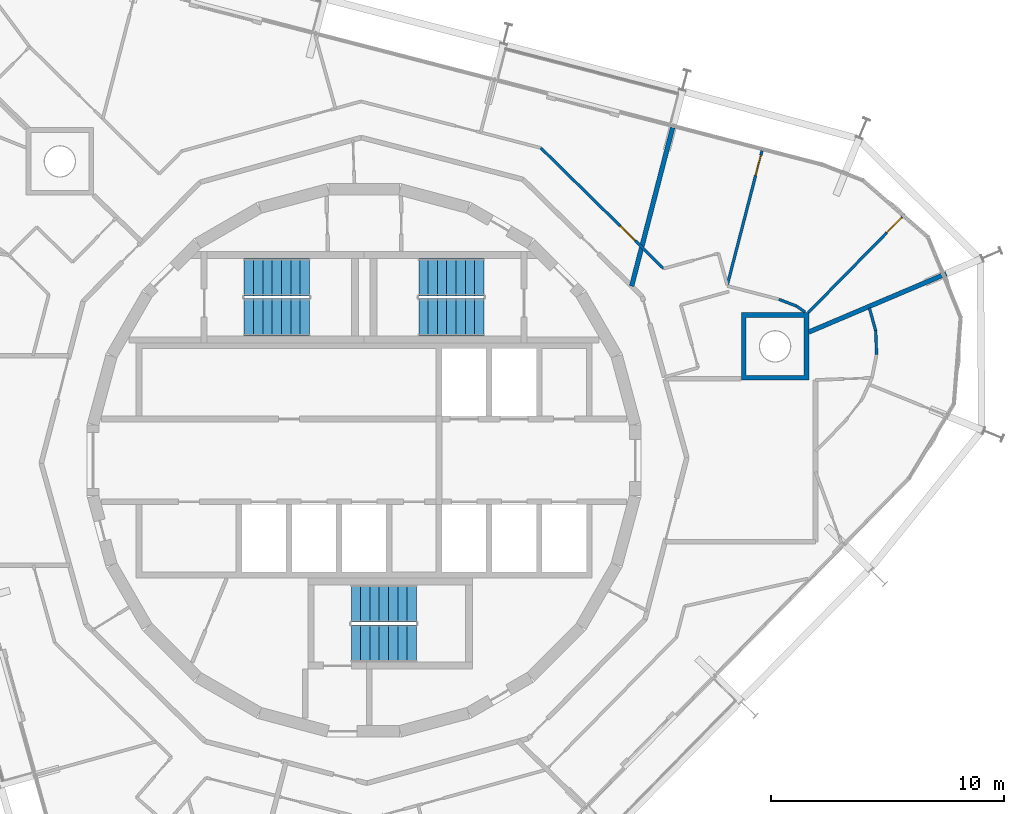
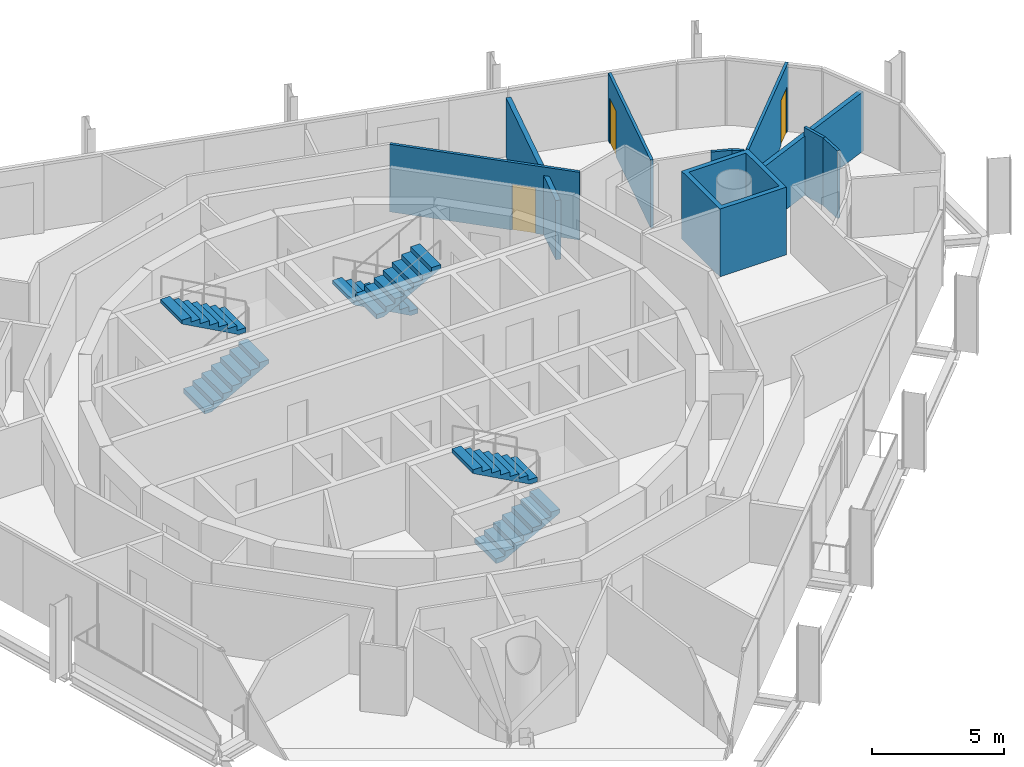
# One storey, part 14 of 15: 10 walls, 6 stair flights, 3 doors, 3 openings, 3 elements without a shape of their own.
"""IFC4 building model written with IfcOpenShell, lengths in metres."""

import ifcopenshell
import ifcopenshell.guid

model = None  # the IFC model being written
_history = None  # IfcOwnerHistory: only IFC2X3 demands one
_inside = {}  # id of a spatial element -> (the spatial element, [elements in it])
_under = {}  # id of a project, library or spatial element -> (it, [spatial elements below it])
_declared = {}  # id of a project -> (the project, [libraries it declares])
_typed = {}  # id of a type object -> (the type object, [elements of that type])
_made_of = {}  # id of a material, layer set ... -> (it, [elements and type objects made of it])


def new_model(schema):
    """Start an empty IFC model of exactly this schema.

    Asked for "IFC4X3", IfcOpenShell would pick the latest addendum, in which some entities
    have other attributes; the version numbers below select the first issue.
    IFC2X3 requires an IfcOwnerHistory on every rooted entity: one is made here for all.
    """
    global model, _history
    if schema == "IFC4X3":
        model = ifcopenshell.file(schema_version=(4, 3, 0, 0))
    else:
        model = ifcopenshell.file(schema=schema)
    _inside.clear()
    _under.clear()
    _declared.clear()
    _typed.clear()
    _made_of.clear()
    _history = None
    if model.schema == "IFC2X3":
        org = make("IfcOrganization", Name="unknown")
        user = make(
            "IfcPersonAndOrganization",
            ThePerson=make("IfcPerson", FamilyName="unknown"),
            TheOrganization=org,
        )
        app = make(
            "IfcApplication",
            ApplicationDeveloper=org,
            Version="unknown",
            ApplicationFullName="unknown",
            ApplicationIdentifier="unknown",
        )
        _history = make(
            "IfcOwnerHistory",
            OwningUser=user,
            OwningApplication=app,
            ChangeAction="ADDED",
            CreationDate=0,
        )
    return model


def make(cls, **values):
    """One entity of the class cls with the attributes given. An attribute that is None is left unset."""
    return model.create_entity(
        cls, **{name: value for name, value in values.items() if value is not None}
    )


def rooted(cls, **values):
    """An entity with a GlobalId (a new one), such as an element, a storey or a relation."""
    return make(cls, GlobalId=ifcopenshell.guid.new(), OwnerHistory=_history, **values)


def si_unit(unit_type, name, prefix=None):
    """IfcSIUnit, for example si_unit("LENGTHUNIT", "METRE", prefix="MILLI")."""
    return make("IfcSIUnit", UnitType=unit_type, Prefix=prefix, Name=name)


def assignment(units):
    """IfcUnitAssignment: the units of a project."""
    return None if units is None else make("IfcUnitAssignment", Units=units)


def point(xyz):
    """IfcCartesianPoint."""
    return None if xyz is None else make("IfcCartesianPoint", Coordinates=xyz)


def direction(xyz):
    """IfcDirection."""
    return None if xyz is None else make("IfcDirection", DirectionRatios=xyz)


def frame(location, z_axis=None, x_axis=None):
    """IfcAxis2Placement3D, a coordinate frame: its origin and axes. An axis left out is left unset."""
    return make(
        "IfcAxis2Placement3D",
        Location=point(location),
        Axis=direction(z_axis),
        RefDirection=direction(x_axis),
    )


def frame_2d(location, x_axis=None):
    """IfcAxis2Placement2D, a coordinate frame in the plane: its origin and x axis."""
    return make(
        "IfcAxis2Placement2D", Location=point(location), RefDirection=direction(x_axis)
    )


def origin():
    """The frame at (0, 0, 0) with its axes left unset."""
    return frame((0.0, 0.0, 0.0))


def place(relative_to, where):
    """IfcLocalPlacement: puts the frame where relative to a parent placement (None: the world)."""
    return make(
        "IfcLocalPlacement", PlacementRelTo=relative_to, RelativePlacement=where
    )


def context(
    kind, dimensions, precision=None, world=None, true_north=None, identifier=None
):
    """IfcGeometricRepresentationContext, for example the 3D "Model" context."""
    return make(
        "IfcGeometricRepresentationContext",
        ContextIdentifier=identifier,
        ContextType=kind,
        CoordinateSpaceDimension=dimensions,
        Precision=precision,
        WorldCoordinateSystem=world,
        TrueNorth=true_north,
    )


def subcontext(parent, identifier, kind, view, scale=None):
    """IfcGeometricRepresentationSubContext, for example "Body" below "Model"."""
    return make(
        "IfcGeometricRepresentationSubContext",
        ContextIdentifier=identifier,
        ContextType=kind,
        ParentContext=parent,
        TargetScale=scale,
        TargetView=view,
    )


def project(units=None, contexts=None):
    """IfcProject with its units and contexts."""
    return rooted(
        "IfcProject",
        Name="project",
        RepresentationContexts=contexts,
        UnitsInContext=assignment(units),
    )


def spatial(cls, under=None, at=None, **own):
    """A site, building, storey or space (cls), placed at a placement, below another one or the project."""
    s = rooted(cls, ObjectPlacement=at, **own)
    if under is not None:
        _under.setdefault(under.id(), (under, []))[1].append(s)
    return s


def polyline(points):
    """IfcPolyline through the points."""
    return make("IfcPolyline", Points=[point(p) for p in points])


def profile(cls, at=None, kind="AREA", **sizes):
    """A parametric profile (cls). Its sizes go by their IFC names, for example OverallWidth=200.0."""
    return make(cls, ProfileType=kind, Position=at, **sizes)


def rectangle(**sizes):
    """IfcRectangleProfileDef."""
    return profile("IfcRectangleProfileDef", **sizes)


def outline(outer, holes=None, kind="AREA"):
    """IfcArbitraryClosedProfileDef: a profile drawn as a closed curve; with holes, ...WithVoids."""
    if holes is None:
        return make("IfcArbitraryClosedProfileDef", ProfileType=kind, OuterCurve=outer)
    return make(
        "IfcArbitraryProfileDefWithVoids",
        ProfileType=kind,
        OuterCurve=outer,
        InnerCurves=holes,
    )


def extrude(swept, where, along, depth):
    """IfcExtrudedAreaSolid: the profile swept, set in the frame where, extruded along a direction by depth."""
    return make(
        "IfcExtrudedAreaSolid",
        SweptArea=swept,
        Position=where,
        ExtrudedDirection=direction(along),
        Depth=depth,
    )


def shape(context_of_items, identifier, shape_type, items):
    """IfcShapeRepresentation: the items that make up one representation, for example the "Body"."""
    return make(
        "IfcShapeRepresentation",
        ContextOfItems=context_of_items,
        RepresentationIdentifier=identifier,
        RepresentationType=shape_type,
        Items=items,
    )


def material(Name=None, Category=None):
    """IfcMaterial."""
    return make("IfcMaterial", Name=Name, Category=Category)


def layer(
    of_material, thickness, ventilated=None, Name=None, Category=None, Priority=None
):
    """IfcMaterialLayer: one layer of a wall or slab, of a material (None: an air gap)."""
    return make(
        "IfcMaterialLayer",
        Material=of_material,
        LayerThickness=thickness,
        IsVentilated=ventilated,
        Name=Name,
        Category=Category,
        Priority=Priority,
    )


def layer_set(layers, Name=None):
    """IfcMaterialLayerSet."""
    return make("IfcMaterialLayerSet", MaterialLayers=layers, LayerSetName=Name)


def made_of(thing, what):
    """Note that an element or type object is made of a material, layer set ...; save() writes the relation."""
    if what is not None:
        _made_of.setdefault(what.id(), (what, []))[1].append(thing)
    return thing


def type_object(cls, material=None, **own):
    """A type object (cls), such as IfcWallType, which elements share."""
    return made_of(rooted(cls, **own), material)


def element(
    cls,
    number,
    at=None,
    inside=None,
    cuts=None,
    type_object=None,
    material=None,
    context=None,
    identifier="Body",
    shape_type=None,
    held_by="IfcProductDefinitionShape",
    body=None,
    shapes=None,
    **own,
):
    """One element of the class cls, such as IfcWall. Its Tag is "e" and its number.

    at: its placement. inside: the storey or other place that contains it. cuts: it is an
    opening in that element (IfcRelVoidsElement). A single representation is given by context,
    identifier, shape_type and body (its items); several are given by shapes. held_by: the class
    of the entity that holds the representations. save() writes the other relations.
    """
    e = rooted(cls, Tag="e%d" % number, ObjectPlacement=at, **own)
    if body is not None:
        shapes = [shape(context, identifier, shape_type, body)]
    if shapes is not None:
        e.Representation = make(held_by, Representations=shapes)
    if inside is not None:
        _inside.setdefault(inside.id(), (inside, []))[1].append(e)
    if cuts is not None:
        rooted(
            "IfcRelVoidsElement", RelatingBuildingElement=cuts, RelatedOpeningElement=e
        )
    if type_object is not None:
        _typed.setdefault(type_object.id(), (type_object, []))[1].append(e)
    return made_of(e, material)


def fill(opening, filler):
    """IfcRelFillsElement: the door or window that sits in an opening."""
    return rooted(
        "IfcRelFillsElement",
        RelatingOpeningElement=opening,
        RelatedBuildingElement=filler,
    )


def aggregate(whole, parts):
    """IfcRelAggregates: a whole, such as a stair, and the parts it consists of."""
    return rooted("IfcRelAggregates", RelatingObject=whole, RelatedObjects=parts)


def save(model, path):
    """Write the relations noted so far, then the file.

    IfcRelAggregates (storeys below a building ...), IfcRelContainedInSpatialStructure (elements
    in a storey), IfcRelDefinesByType, IfcRelAssociatesMaterial and IfcRelDeclares: one each for
    every whole, place, type object, material and project.
    """
    for whole, parts in _under.values():
        aggregate(whole, parts)
    for where, things in _inside.values():
        rooted(
            "IfcRelContainedInSpatialStructure",
            RelatedElements=things,
            RelatingStructure=where,
        )
    for kind, things in _typed.values():
        rooted("IfcRelDefinesByType", RelatedObjects=things, RelatingType=kind)
    for what, things in _made_of.values():
        rooted("IfcRelAssociatesMaterial", RelatedObjects=things, RelatingMaterial=what)
    for by, libraries in _declared.values():
        rooted("IfcRelDeclares", RelatingContext=by, RelatedDefinitions=libraries)
    model.write(path)


model = new_model("IFC4")

# Units and contexts
model_context = context("Model", 3, precision=1e-05, world=origin(), true_north=direction((0.0, 1.0)))
body_context = subcontext(model_context, "Body", "Model", "MODEL_VIEW")
ifc_project = project(units=[si_unit("LENGTHUNIT", "METRE"), si_unit("AREAUNIT", "SQUARE_METRE"), si_unit("VOLUMEUNIT", "CUBIC_METRE"), si_unit("PLANEANGLEUNIT", "RADIAN"), si_unit("MASSUNIT", "GRAM", prefix="KILO")], contexts=[model_context])

# Site, building, storey
site_placement = place(None, origin())
site = spatial("IfcSite", under=ifc_project, at=site_placement, CompositionType="ELEMENT")
building_placement = place(site_placement, origin())
building = spatial("IfcBuilding", under=site, at=building_placement, Name="Spindle Arch Residences", CompositionType="ELEMENT")
storey_placement = place(building_placement, frame((0.0, 0.0, 315.699951171875)))
storey = spatial("IfcBuildingStorey", under=building, at=storey_placement, Name="L81", CompositionType="ELEMENT", Elevation=315.699951171875)

# Wall, opening, door
ifc_material_1 = material(Name="Plasterboard on steel studs", Category="steel")
ifc_layer_1 = layer(ifc_material_1, 0.1201171875)
ifc_layer_set_1 = layer_set([ifc_layer_1], Name="Flat partition 120")
wall_type_1 = type_object("IfcWallType", Name="Flat partition 120", PredefinedType="PARTITIONING", material=ifc_layer_set_1)
wall_1_placement = place(storey_placement, frame((12.87255859375, 8.240478515625, 0.0), z_axis=(0.0, 0.0, 1.0), x_axis=(-0.713251042219, 0.700908660792, 0.0)))
wall_1 = element("IfcWall", 1, at=wall_1_placement, inside=storey, type_object=wall_type_1, Name="Flat partition R8B1-W035", PredefinedType="PARTITIONING", context=body_context, shape_type="SweptSolid", body=[
    extrude(rectangle(XDim=7.39794921875, YDim=0.1201171875, at=frame_2d((3.698974609375, 0.0))), origin(), (0.0, 0.0, 1.0), 3.1201171875),
])
opening_1_placement = place(wall_1_placement, frame((1.71826171875, 0.0, 0.0)))
opening_1 = element("IfcOpeningElement", 2, at=opening_1_placement, cuts=wall_1, Name="Opening R8B1-ID04", PredefinedType="OPENING", context=body_context, shape_type="SweptSolid", body=[
    extrude(rectangle(XDim=0.89990234375, YDim=2.10009765625, at=frame_2d((0.449951171875, 1.050048828125))), frame((0.0, 0.070068359375, 0.0), z_axis=(0.0, -1.0, 0.0), x_axis=(1.0, 0.0, 0.0)), (0.0, 0.0, 1.0), 0.14013671875),
])
ifc_material_2 = material(Name="Timber door set", Category="wood")
door_type = type_object("IfcDoorType", Name="Room door 900x2100", OperationType="NOTDEFINED", PredefinedType="DOOR", material=ifc_material_2)
door_1_placement = place(opening_1_placement, origin())
door_1 = element("IfcDoor", 3, at=door_1_placement, inside=storey, type_object=door_type, Name="Room door R8B1-ID04", OperationType="SINGLE_SWING_LEFT", OverallHeight=2.10009765625, OverallWidth=0.89990234375, PredefinedType="DOOR", context=body_context, shape_type="SweptSolid", body=[
    extrude(rectangle(XDim=0.89990234375, YDim=2.10009765625, at=frame_2d((0.449951171875, 1.050048828125))), frame((0.0, 0.02490234375, 0.0), z_axis=(0.0, -1.0, 0.0), x_axis=(1.0, 0.0, 0.0)), (0.0, 0.0, 1.0), 0.050048828125),
])
fill(opening_1, door_1)

wall_2_placement = place(storey_placement, frame((23.240478515625, 10.576416015625, 0.0), z_axis=(0.0, 0.0, 1.0), x_axis=(-0.700776156398, -0.713381229515, 0.0)))
wall_2 = element("IfcWall", 4, at=wall_2_placement, inside=storey, type_object=wall_type_1, Name="Flat partition R8B1-W036", PredefinedType="PARTITIONING", context=body_context, shape_type="SweptSolid", body=[
    extrude(rectangle(XDim=5.9267578125, YDim=0.1201171875, at=frame_2d((2.96337890625, 0.0))), origin(), (0.0, 0.0, 1.0), 3.1201171875),
])
opening_2_placement = place(wall_2_placement, frame((0.199951171875, 0.0, 0.0)))
opening_2 = element("IfcOpeningElement", 5, at=opening_2_placement, cuts=wall_2, Name="Opening R8B1-ID03", PredefinedType="OPENING", context=body_context, shape_type="SweptSolid", body=[
    extrude(rectangle(XDim=0.89990234375, YDim=2.10009765625, at=frame_2d((0.449951171875, 1.050048828125))), frame((0.0, 0.070068359375, 0.0), z_axis=(0.0, -1.0, 0.0), x_axis=(1.0, 0.0, 0.0)), (0.0, 0.0, 1.0), 0.14013671875),
])
door_2_placement = place(opening_2_placement, origin())
door_2 = element("IfcDoor", 6, at=door_2_placement, inside=storey, type_object=door_type, Name="Room door R8B1-ID03", OperationType="SINGLE_SWING_LEFT", OverallHeight=2.10009765625, OverallWidth=0.89990234375, PredefinedType="DOOR", context=body_context, shape_type="SweptSolid", body=[
    extrude(rectangle(XDim=0.89990234375, YDim=2.10009765625, at=frame_2d((0.449951171875, 1.050048828125))), frame((0.0, 0.02490234375, 0.0), z_axis=(0.0, -1.0, 0.0), x_axis=(1.0, 0.0, 0.0)), (0.0, 0.0, 1.0), 0.050048828125),
])
fill(opening_2, door_2)

# Walls
wall_3_placement = place(storey_placement, frame((18.9521484375, 6.373291015625, 0.0), z_axis=(0.0, 0.0, 1.0), x_axis=(-0.82412024189, 0.566414889377, 0.0)))
element("IfcWall", 7, at=wall_3_placement, inside=storey, type_object=wall_type_1, Name="Flat partition R8B1-W037", PredefinedType="PARTITIONING", context=body_context, shape_type="SweptSolid", body=[
    extrude(rectangle(XDim=0.454833984375, YDim=0.1201171875, at=frame_2d((0.2275390625, 0.0))), origin(), (0.0, 0.0, 1.0), 3.1201171875),
])
wall_4_placement = place(storey_placement, frame((18.577392578125, 6.630859375, 0.0), z_axis=(0.0, 0.0, 1.0), x_axis=(-0.932531937323, 0.361087504455, 0.0)))
element("IfcWall", 8, at=wall_4_placement, inside=storey, type_object=wall_type_1, Name="Flat partition R8B1-W038", PredefinedType="PARTITIONING", context=body_context, shape_type="SweptSolid", body=[
    extrude(rectangle(XDim=0.806640625, YDim=0.1201171875, at=frame_2d((0.4033203125, 0.0))), origin(), (0.0, 0.0, 1.0), 3.1201171875),
])

# Wall, opening, door
wall_5_placement = place(storey_placement, frame((17.1015625, 13.306640625, 0.0), z_axis=(0.0, 0.0, 1.0), x_axis=(-0.250374225748, -0.968149134731, 0.0)))
wall_5 = element("IfcWall", 9, at=wall_5_placement, inside=storey, type_object=wall_type_1, Name="Flat partition R8B1-W040", PredefinedType="PARTITIONING", context=body_context, shape_type="SweptSolid", body=[
    extrude(rectangle(XDim=5.966552734375, YDim=0.1201171875, at=frame_2d((2.9833984375, 0.0))), origin(), (0.0, 0.0, 1.0), 3.1201171875),
])
opening_3_placement = place(wall_5_placement, frame((0.199951171875, 0.0, 0.0)))
opening_3 = element("IfcOpeningElement", 10, at=opening_3_placement, cuts=wall_5, Name="Opening R8B1-ID02", PredefinedType="OPENING", context=body_context, shape_type="SweptSolid", body=[
    extrude(rectangle(XDim=0.89990234375, YDim=2.10009765625, at=frame_2d((0.449951171875, 1.050048828125))), frame((0.0, 0.070068359375, 0.0), z_axis=(0.0, -1.0, 0.0), x_axis=(1.0, 0.0, 0.0)), (0.0, 0.0, 1.0), 0.14013671875),
])
door_3_placement = place(opening_3_placement, origin())
door_3 = element("IfcDoor", 11, at=door_3_placement, inside=storey, type_object=door_type, Name="Room door R8B1-ID02", OperationType="SINGLE_SWING_LEFT", OverallHeight=2.10009765625, OverallWidth=0.89990234375, PredefinedType="DOOR", context=body_context, shape_type="SweptSolid", body=[
    extrude(rectangle(XDim=0.89990234375, YDim=2.10009765625, at=frame_2d((0.449951171875, 1.050048828125))), frame((0.0, 0.02490234375, 0.0), z_axis=(0.0, -1.0, 0.0), x_axis=(1.0, 0.0, 0.0)), (0.0, 0.0, 1.0), 0.050048828125),
])
fill(opening_3, door_3)

# Walls
for number, where, z_axis, x_axis, name in (
    (12, (21.714599609375, 6.549072265625, 0.0), (0.0, 0.0, 1.0), (0.267222438577, -0.963634872927, 0.0), "Flat partition R8B1-W084"),
    (13, (21.986083984375, 5.570068359375, 0.0), (0.0, 0.0, 1.0), (0.037971633756, -0.999278817463, 0.0), "Flat partition R8B1-W085"),
):
    element("IfcWall", number, at=place(storey_placement, frame(where, z_axis=z_axis, x_axis=x_axis)), inside=storey, type_object=wall_type_1, Name=name, PredefinedType="PARTITIONING", context=body_context, shape_type="SweptSolid", body=[
        extrude(rectangle(XDim=1.015869140625, YDim=0.1201171875, at=frame_2d((0.5078125, 0.0))), origin(), (0.0, 0.0, 1.0), 3.1201171875),
    ])
ifc_material_3 = material(Name="Calcium silicate block, plastered")
ifc_layer_2 = layer(ifc_material_3, 0.199951171875)
ifc_layer_set_2 = layer_set([ifc_layer_2], Name="Flat party wall 200 under beam 2730")
wall_type_2 = type_object("IfcWallType", Name="Flat party wall 200 under beam 2730", PredefinedType="STANDARD", material=ifc_layer_set_2)
wall_6_placement = place(storey_placement, frame((13.260498046875, 14.300048828125, 0.0), z_axis=(0.0, 0.0, 1.0), x_axis=(-0.250397400042, -0.968143141303, 0.0)))
element("IfcWall", 14, at=wall_6_placement, inside=storey, type_object=wall_type_2, Name="Flat party wall R8B1-W022", PredefinedType="STANDARD", context=body_context, shape_type="SweptSolid", body=[
    extrude(rectangle(XDim=7.03662109375, YDim=0.199951171875, at=frame_2d((3.518310546875, 0.0))), origin(), (0.0, 0.0, 1.0), 2.72998046875),
])
wall_7_placement = place(storey_placement, frame((19.112548828125, 5.513916015625, 0.0), z_axis=(0.0, 0.0, 1.0), x_axis=(0.920500452946, 0.390741495269, 0.0)))
element("IfcWall", 15, at=wall_7_placement, inside=storey, type_object=wall_type_2, Name="Flat party wall R8B1-W023", PredefinedType="STANDARD", context=body_context, shape_type="SweptSolid", body=[
    extrude(rectangle(XDim=6.411865234375, YDim=0.199951171875, at=frame_2d((3.2060546875, 0.0))), origin(), (0.0, 0.0, 1.0), 2.72998046875),
])
ifc_material_4 = material(Name="Calcium silicate block, plastered")
ifc_layer_3 = layer(ifc_material_4, 0.199951171875)
ifc_layer_set_3 = layer_set([ifc_layer_3], Name="Mega-column casing wall 200")
wall_type_3 = type_object("IfcWallType", Name="Mega-column casing wall 200", PredefinedType="STANDARD", material=ifc_layer_set_3)
wall_8_placement = place(storey_placement, origin())
element("IfcWall", 16, at=wall_8_placement, inside=storey, type_object=wall_type_3, Name="Mega-column casing wall R8B1-WC01", PredefinedType="STANDARD", context=body_context, shape_type="SweptSolid", body=[
    extrude(outline(polyline([(19.112548828125, 6.348388671875), (19.112548828125, 3.4482421875), (16.212646484375, 3.4482421875), (16.212646484375, 6.348388671875), (19.112548828125, 6.348388671875)]), holes=[polyline([(16.41259765625, 3.648193359375), (18.91259765625, 3.648193359375), (18.91259765625, 6.148193359375), (16.41259765625, 6.148193359375), (16.41259765625, 3.648193359375)])]), origin(), (0.0, 0.0, 1.0), 3.1201171875),
])

# Stair, stair flights
ifc_material_5 = material(Name="Concrete C50/60", Category="concrete")
stair_type = type_object("IfcStairType", Name="Exit stair 16 risers", PredefinedType="HALF_TURN_STAIR", material=ifc_material_5)
stair_1_placement = place(storey_placement, origin())
stair_1 = element("IfcStair", 17, at=stair_1_placement, inside=storey, type_object=stair_type, Name="L81 Exit stair ST1", PredefinedType="HALF_TURN_STAIR")
ifc_material_6 = material(Name="Concrete C50/60", Category="concrete")
stair_flight_type = type_object("IfcStairFlightType", Name="Exit stair flight", PredefinedType="STRAIGHT", material=ifc_material_6)
stair_flight_1_placement = place(storey_placement, frame((5.14990234375, 7.8701171875, 0.0), z_axis=(0.0, 0.0, 1.0), x_axis=(-1.0, 0.0, 0.0)))
stair_flight_1 = element("IfcStairFlight", 18, at=stair_flight_1_placement, type_object=stair_flight_type, Name="ST1 flight 1", NumberOfRisers=8, NumberOfTreads=7, PredefinedType="STRAIGHT", RiserHeight=0.21875, TreadLength=0.4, context=body_context, shape_type="SweptSolid", body=[
    extrude(outline(polyline([(0.0, 0.0), (0.0, 0.21875), (0.39990234375, 0.21875), (0.39990234375, 0.4375), (0.800048828125, 0.4375), (0.800048828125, 0.65625), (1.199951171875, 0.65625), (1.199951171875, 0.875), (1.60009765625, 0.875), (1.60009765625, 1.09375), (2.0, 1.09375), (2.0, 1.3125), (2.39990234375, 1.3125), (2.39990234375, 1.53125), (2.800048828125, 1.53125), (2.800048828125, 1.75), (2.800048828125, 1.3603515625), (0.3125, 0.0), (0.0, 0.0)])), frame((0.0, 0.800048828125, 0.0), z_axis=(0.0, -1.0, 0.0), x_axis=(1.0, 0.0, 0.0)), (0.0, 0.0, 1.0), 1.60009765625),
])
stair_flight_2_placement = place(storey_placement, frame((2.35009765625, 6.14990234375, 1.75), z_axis=(0.0, 0.0, 1.0), x_axis=(1.0, 0.0, 0.0)))
stair_flight_2 = element("IfcStairFlight", 19, at=stair_flight_2_placement, type_object=stair_flight_type, Name="ST1 flight 2", NumberOfRisers=8, NumberOfTreads=7, PredefinedType="STRAIGHT", RiserHeight=0.21875, TreadLength=0.4, context=body_context, shape_type="SweptSolid", body=[
    extrude(outline(polyline([(0.0, 0.0), (0.0, 0.21875), (0.39990234375, 0.21875), (0.39990234375, 0.4375), (0.800048828125, 0.4375), (0.800048828125, 0.65625), (1.199951171875, 0.65625), (1.199951171875, 0.875), (1.60009765625, 0.875), (1.60009765625, 1.09375), (2.0, 1.09375), (2.0, 1.3125), (2.39990234375, 1.3125), (2.39990234375, 1.53125), (2.800048828125, 1.53125), (2.800048828125, 1.75), (2.800048828125, 1.3603515625), (0.3125, 0.0), (0.0, 0.0)])), frame((0.0, 0.800048828125, 0.0), z_axis=(0.0, -1.0, 0.0), x_axis=(1.0, 0.0, 0.0)), (0.0, 0.0, 1.0), 1.60009765625),
])
aggregate(stair_1, [stair_flight_1, stair_flight_2])

stair_2_placement = place(storey_placement, origin())
stair_2 = element("IfcStair", 20, at=stair_2_placement, inside=storey, type_object=stair_type, Name="L81 Exit stair ST2", PredefinedType="HALF_TURN_STAIR")
stair_flight_3_placement = place(storey_placement, frame((-5.14990234375, 6.14990234375, 0.0), z_axis=(0.0, 0.0, 1.0), x_axis=(1.0, 0.0, 0.0)))
stair_flight_3 = element("IfcStairFlight", 21, at=stair_flight_3_placement, type_object=stair_flight_type, Name="ST2 flight 1", NumberOfRisers=8, NumberOfTreads=7, PredefinedType="STRAIGHT", RiserHeight=0.21875, TreadLength=0.4, context=body_context, shape_type="SweptSolid", body=[
    extrude(outline(polyline([(0.0, 0.0), (0.0, 0.21875), (0.39990234375, 0.21875), (0.39990234375, 0.4375), (0.800048828125, 0.4375), (0.800048828125, 0.65625), (1.199951171875, 0.65625), (1.199951171875, 0.875), (1.60009765625, 0.875), (1.60009765625, 1.09375), (2.0, 1.09375), (2.0, 1.3125), (2.39990234375, 1.3125), (2.39990234375, 1.53125), (2.800048828125, 1.53125), (2.800048828125, 1.75), (2.800048828125, 1.3603515625), (0.3125, 0.0), (0.0, 0.0)])), frame((0.0, 0.800048828125, 0.0), z_axis=(0.0, -1.0, 0.0), x_axis=(1.0, 0.0, 0.0)), (0.0, 0.0, 1.0), 1.60009765625),
])
stair_flight_4_placement = place(storey_placement, frame((-2.35009765625, 7.8701171875, 1.75), z_axis=(0.0, 0.0, 1.0), x_axis=(-1.0, 0.0, 0.0)))
stair_flight_4 = element("IfcStairFlight", 22, at=stair_flight_4_placement, type_object=stair_flight_type, Name="ST2 flight 2", NumberOfRisers=8, NumberOfTreads=7, PredefinedType="STRAIGHT", RiserHeight=0.21875, TreadLength=0.4, context=body_context, shape_type="SweptSolid", body=[
    extrude(outline(polyline([(0.0, 0.0), (0.0, 0.21875), (0.39990234375, 0.21875), (0.39990234375, 0.4375), (0.800048828125, 0.4375), (0.800048828125, 0.65625), (1.199951171875, 0.65625), (1.199951171875, 0.875), (1.60009765625, 0.875), (1.60009765625, 1.09375), (2.0, 1.09375), (2.0, 1.3125), (2.39990234375, 1.3125), (2.39990234375, 1.53125), (2.800048828125, 1.53125), (2.800048828125, 1.75), (2.800048828125, 1.3603515625), (0.3125, 0.0), (0.0, 0.0)])), frame((0.0, 0.800048828125, 0.0), z_axis=(0.0, -1.0, 0.0), x_axis=(1.0, 0.0, 0.0)), (0.0, 0.0, 1.0), 1.60009765625),
])
aggregate(stair_2, [stair_flight_3, stair_flight_4])

stair_3_placement = place(storey_placement, origin())
stair_3 = element("IfcStair", 23, at=stair_3_placement, inside=storey, type_object=stair_type, Name="L81 Exit stair ST3", PredefinedType="HALF_TURN_STAIR")
stair_flight_5_placement = place(storey_placement, frame((-0.550048828125, -7.8701171875, 0.0), z_axis=(0.0, 0.0, 1.0), x_axis=(1.0, 0.0, 0.0)))
stair_flight_5 = element("IfcStairFlight", 24, at=stair_flight_5_placement, type_object=stair_flight_type, Name="ST3 flight 1", NumberOfRisers=8, NumberOfTreads=7, PredefinedType="STRAIGHT", RiserHeight=0.21875, TreadLength=0.4, context=body_context, shape_type="SweptSolid", body=[
    extrude(outline(polyline([(0.0, 0.0), (0.0, 0.21875), (0.39990234375, 0.21875), (0.39990234375, 0.4375), (0.800048828125, 0.4375), (0.800048828125, 0.65625), (1.199951171875, 0.65625), (1.199951171875, 0.875), (1.60009765625, 0.875), (1.60009765625, 1.09375), (2.0, 1.09375), (2.0, 1.3125), (2.39990234375, 1.3125), (2.39990234375, 1.53125), (2.800048828125, 1.53125), (2.800048828125, 1.75), (2.800048828125, 1.3603515625), (0.3125, 0.0), (0.0, 0.0)])), frame((0.0, 0.800048828125, 0.0), z_axis=(0.0, -1.0, 0.0), x_axis=(1.0, 0.0, 0.0)), (0.0, 0.0, 1.0), 1.60009765625),
])
stair_flight_6_placement = place(storey_placement, frame((2.25, -6.14990234375, 1.75), z_axis=(0.0, 0.0, 1.0), x_axis=(-1.0, 0.0, 0.0)))
stair_flight_6 = element("IfcStairFlight", 25, at=stair_flight_6_placement, type_object=stair_flight_type, Name="ST3 flight 2", NumberOfRisers=8, NumberOfTreads=7, PredefinedType="STRAIGHT", RiserHeight=0.21875, TreadLength=0.4, context=body_context, shape_type="SweptSolid", body=[
    extrude(outline(polyline([(0.0, 0.0), (0.0, 0.21875), (0.39990234375, 0.21875), (0.39990234375, 0.4375), (0.800048828125, 0.4375), (0.800048828125, 0.65625), (1.199951171875, 0.65625), (1.199951171875, 0.875), (1.60009765625, 0.875), (1.60009765625, 1.09375), (2.0, 1.09375), (2.0, 1.3125), (2.39990234375, 1.3125), (2.39990234375, 1.53125), (2.800048828125, 1.53125), (2.800048828125, 1.75), (2.800048828125, 1.3603515625), (0.3125, 0.0), (0.0, 0.0)])), frame((0.0, 0.800048828125, 0.0), z_axis=(0.0, -1.0, 0.0), x_axis=(1.0, 0.0, 0.0)), (0.0, 0.0, 1.0), 1.60009765625),
])
aggregate(stair_3, [stair_flight_5, stair_flight_6])

save(model, "model.ifc")
